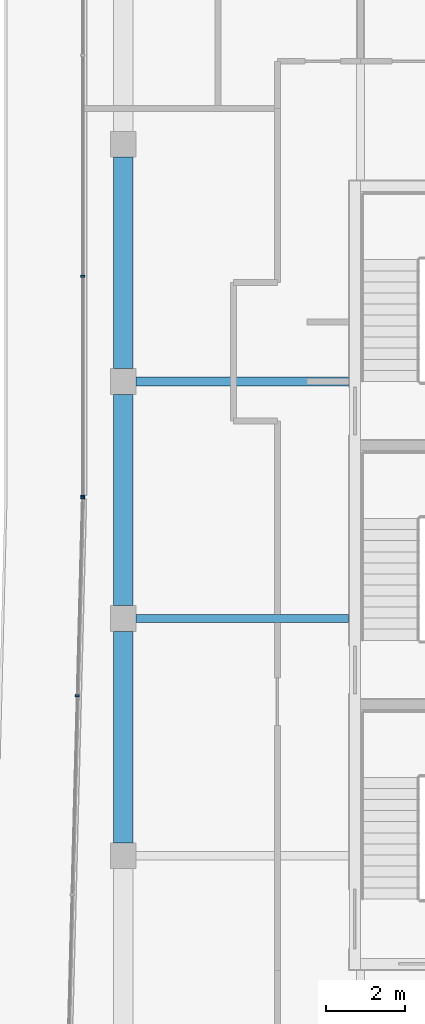
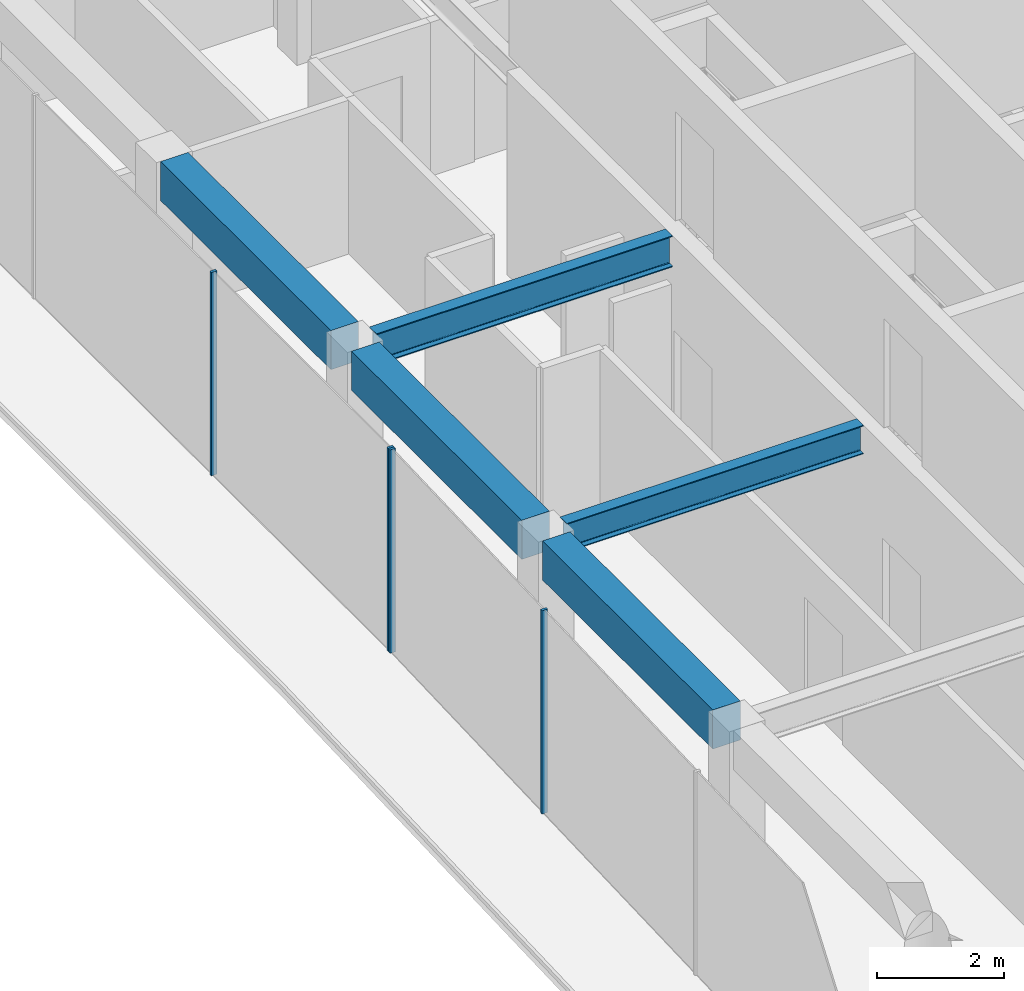
# One storey, part 4 of 15: 5 beams, 4 members, 2 elements without a shape of their own.
"""IFC4 building model written with IfcOpenShell, lengths in metres."""

from ifc_helpers import new_model, si_unit, direction, frame, origin, origin_2d, place, context, subcontext, project, spatial, rectangle, i_section, extrude, material, layer, layer_set, material_profile, profile_set, type_object, element, aggregate, save


model = new_model("IFC4")

# Units and contexts
model_context = context("Model", 3, precision=1e-05, world=origin(), true_north=direction((0.0, 1.0)))
body_context = subcontext(model_context, "Body", "Model", "MODEL_VIEW")
ifc_project = project(units=[si_unit("LENGTHUNIT", "METRE"), si_unit("AREAUNIT", "SQUARE_METRE"), si_unit("VOLUMEUNIT", "CUBIC_METRE"), si_unit("PLANEANGLEUNIT", "RADIAN"), si_unit("MASSUNIT", "GRAM", prefix="KILO")], contexts=[model_context])

# Site, building, storey
site_placement = place(None, origin())
site = spatial("IfcSite", under=ifc_project, at=site_placement, CompositionType="ELEMENT")
building_placement = place(site_placement, origin())
building = spatial("IfcBuilding", under=site, at=building_placement, Name="Welwitschia Terrace Campus", CompositionType="ELEMENT")
storey_placement = place(building_placement, frame((0.0, 0.0, 339.800048828125)))
storey = spatial("IfcBuildingStorey", under=building, at=storey_placement, Name="L76", CompositionType="ELEMENT", Elevation=339.800048828125)

# Beam
ifc_material_1 = material(Name="Steel S355", Category="steel")
ifc_material_profile_1 = material_profile(ifc_material_1, i_section(OverallWidth=0.2099609375, OverallDepth=0.550048828125, WebThickness=0.010986328125, FlangeThickness=0.01708984375, FilletRadius=0.02392578125, at=origin_2d()))
ifc_profile_set_1 = profile_set([ifc_material_profile_1], Name="Steel S355")
beam_type_1 = type_object("IfcBeamType", Name="Interior girder IPE 550", PredefinedType="BEAM", material=ifc_profile_set_1)
beam_1_placement = place(storey_placement, frame((0.3154296875, 14.0, 3.625), z_axis=(1.0, 0.0, 0.0), x_axis=(0.0, 1.0, 0.0)))
element("IfcBeam", 1, at=beam_1_placement, inside=storey, type_object=beam_type_1, Name="Girder GB7", PredefinedType="BEAM", context=body_context, shape_type="SweptSolid", body=[
    extrude(i_section(OverallWidth=0.2099609375, OverallDepth=0.550048828125, WebThickness=0.010986328125, FlangeThickness=0.01708984375, FilletRadius=0.02392578125, at=origin_2d()), origin(), (0.0, 0.0, 1.0), 5.383544921875),
])

# Curtain wall, members
ifc_material_2 = material(Name="Bronze anodised aluminium", Category="aluminium")
ifc_layer = layer(ifc_material_2, 0.10009765625)
ifc_layer_set = layer_set([ifc_layer], Name="Bronze anodised aluminium")
curtain_wall_type = type_object("IfcCurtainWallType", Name="Curtain wall CW5 crown 6000", PredefinedType="NOTDEFINED", material=ifc_layer_set)
curtain_wall_1_placement = place(storey_placement, origin())
curtain_wall_1 = element("IfcCurtainWall", 2, at=curtain_wall_1_placement, inside=storey, type_object=curtain_wall_type, Name="CW L76.0.0", PredefinedType="NOTDEFINED")
ifc_material_3 = material(Name="Bronze anodised aluminium", Category="aluminium")
ifc_material_profile_2 = material_profile(ifc_material_3, rectangle(XDim=0.10009765625, YDim=0.050048828125, at=origin_2d()))
ifc_profile_set_2 = profile_set([ifc_material_profile_2], Name="Bronze anodised aluminium")
member_type = type_object("IfcMemberType", Name="Mullion 50x100", PredefinedType="MULLION", material=ifc_profile_set_2)
member_1_placement = place(storey_placement, frame((-1.03076171875, 17.051025390625, 0.0), z_axis=(0.0, 0.0, 1.0), x_axis=(0.999657324976, -0.026176948308, 0.0)))
member_1 = element("IfcMember", 3, at=member_1_placement, type_object=member_type, Name="Mullion L76.0.0.0", PredefinedType="MULLION", context=body_context, shape_type="SweptSolid", body=[
    extrude(rectangle(XDim=0.10009765625, YDim=0.050048828125, at=origin_2d()), origin(), (0.0, 0.0, 1.0), 3.89990234375),
])
member_2_placement = place(storey_placement, frame((-1.161865234375, 12.043212890625, 0.0), z_axis=(0.0, 0.0, 1.0), x_axis=(0.999657324976, -0.026176948308, 0.0)))
member_2 = element("IfcMember", 4, at=member_2_placement, type_object=member_type, Name="Mullion L76.0.0.1", PredefinedType="MULLION", context=body_context, shape_type="SweptSolid", body=[
    extrude(rectangle(XDim=0.10009765625, YDim=0.050048828125, at=origin_2d()), origin(), (0.0, 0.0, 1.0), 3.89990234375),
])
aggregate(curtain_wall_1, [member_1, member_2])

curtain_wall_2_placement = place(storey_placement, origin())
curtain_wall_2 = element("IfcCurtainWall", 5, at=curtain_wall_2_placement, inside=storey, type_object=curtain_wall_type, Name="CW L76.10.0", PredefinedType="NOTDEFINED")
member_3_placement = place(storey_placement, frame((-1.030029296875, 22.666259765625, 0.0), z_axis=(0.0, 0.0, 1.0), x_axis=(1.0, 0.0, 0.0)))
member_3 = element("IfcMember", 6, at=member_3_placement, type_object=member_type, Name="Mullion L76.10.0.3", PredefinedType="MULLION", context=body_context, shape_type="SweptSolid", body=[
    extrude(rectangle(XDim=0.10009765625, YDim=0.050048828125, at=origin_2d()), origin(), (0.0, 0.0, 1.0), 3.89990234375),
])
member_4_placement = place(storey_placement, frame((-1.030029296875, 17.10107421875, 0.0), z_axis=(0.0, 0.0, 1.0), x_axis=(1.0, 0.0, 0.0)))
member_4 = element("IfcMember", 7, at=member_4_placement, type_object=member_type, Name="Mullion L76.10.0.4", PredefinedType="MULLION", context=body_context, shape_type="SweptSolid", body=[
    extrude(rectangle(XDim=0.10009765625, YDim=0.050048828125, at=origin_2d()), origin(), (0.0, 0.0, 1.0), 3.89990234375),
])
aggregate(curtain_wall_2, [member_3, member_4])

# Beams
ifc_material_4 = material(Name="Steel S355", Category="steel")
ifc_material_profile_3 = material_profile(ifc_material_4, i_section(OverallWidth=0.219970703125, OverallDepth=0.60009765625, WebThickness=0.011962890625, FlangeThickness=0.01904296875, FilletRadius=0.02392578125, at=origin_2d()))
ifc_profile_set_3 = profile_set([ifc_material_profile_3], Name="Steel S355")
beam_type_2 = type_object("IfcBeamType", Name="Primary beam IPE 600", PredefinedType="BEAM", material=ifc_profile_set_3)
beam_2_placement = place(storey_placement, frame((0.325439453125, 20.0, 3.599853515625), z_axis=(1.0, 0.0, 0.0), x_axis=(0.0, 1.0, 0.0)))
element("IfcBeam", 8, at=beam_2_placement, inside=storey, type_object=beam_type_2, Name="Primary beam PB7", PredefinedType="BEAM", context=body_context, shape_type="SweptSolid", body=[
    extrude(i_section(OverallWidth=0.219970703125, OverallDepth=0.60009765625, WebThickness=0.011962890625, FlangeThickness=0.01904296875, FilletRadius=0.02392578125, at=origin_2d()), origin(), (0.0, 0.0, 1.0), 5.37451171875),
])
ifc_material_5 = material(Name="Concrete C40/50", Category="concrete")
ifc_material_profile_4 = material_profile(ifc_material_5, rectangle(XDim=0.5, YDim=0.75, at=origin_2d()))
ifc_profile_set_4 = profile_set([ifc_material_profile_4], Name="Concrete C40/50")
beam_type_3 = type_object("IfcBeamType", Name="Ring spandrel 500x750", PredefinedType="SPANDREL", material=ifc_profile_set_4)
for number, where, z_axis, x_axis, name in (
    (9, (0.0, 25.674560546875, 3.52490234375), (0.0, -1.0, 0.0), (1.0, 0.0, 0.0), "Spandrel SP5"),
    (10, (0.0, 19.674560546875, 3.52490234375), (0.0, -1.0, 0.0), (1.0, 0.0, 0.0), "Spandrel SP5"),
    (11, (0.0, 13.674560546875, 3.52490234375), (0.0, -1.0, 0.0), (1.0, 0.0, 0.0), "Spandrel SP5"),
):
    element("IfcBeam", number, at=place(storey_placement, frame(where, z_axis=z_axis, x_axis=x_axis)), inside=storey, type_object=beam_type_3, Name=name, PredefinedType="SPANDREL", context=body_context, shape_type="SweptSolid", body=[
        extrude(rectangle(XDim=0.5, YDim=0.75, at=origin_2d()), origin(), (0.0, 0.0, 1.0), 5.34912109375),
    ])

save(model, "model.ifc")
